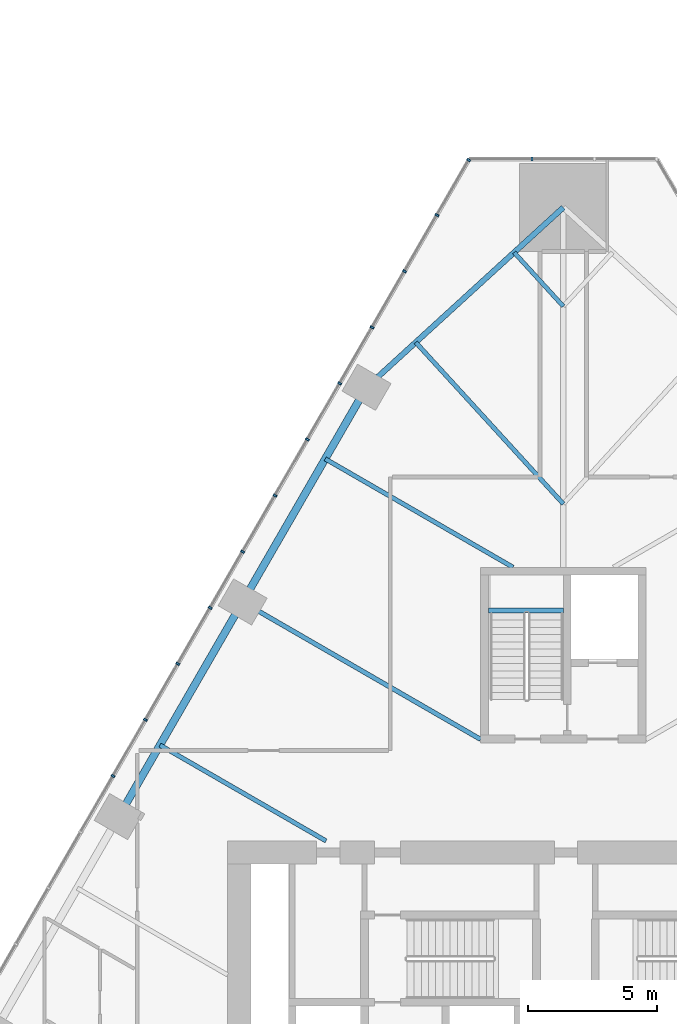
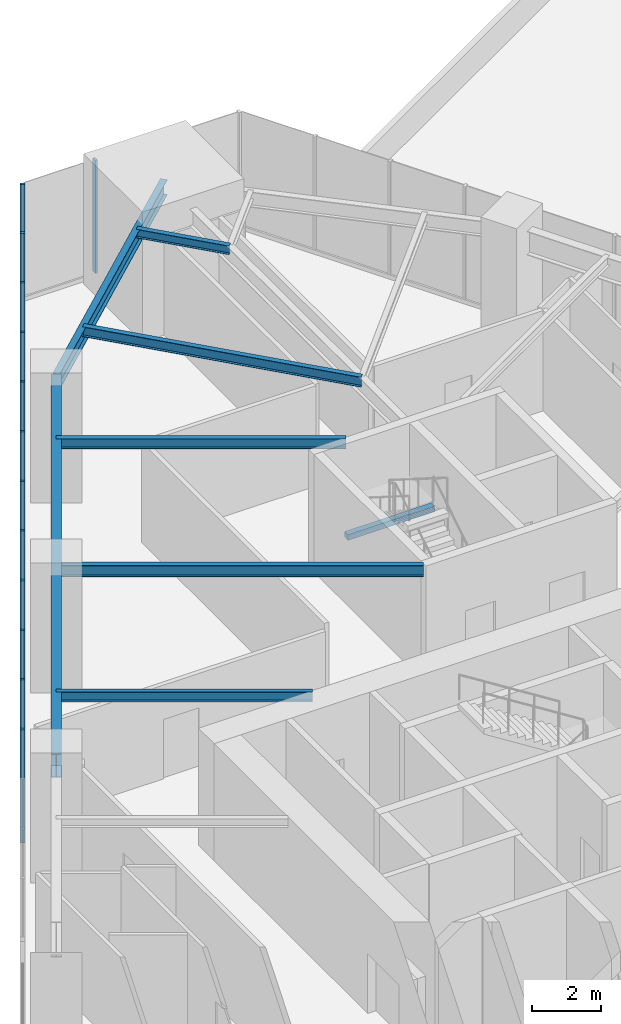
# One storey, part 9 of 23: 13 members, 8 beams, 2 elements without a shape of their own.
"""IFC4 building model written with IfcOpenShell, lengths in metres."""

from ifc_helpers import new_model, si_unit, direction, frame, origin, origin_2d, place, context, subcontext, project, spatial, rectangle, i_section, extrude, material, layer, layer_set, material_profile, profile_set, type_object, element, aggregate, save


model = new_model("IFC4")

# Units and contexts
model_context = context("Model", 3, precision=1e-05, world=origin(), true_north=direction((0.0, 1.0)))
body_context = subcontext(model_context, "Body", "Model", "MODEL_VIEW")
ifc_project = project(units=[si_unit("LENGTHUNIT", "METRE"), si_unit("AREAUNIT", "SQUARE_METRE"), si_unit("VOLUMEUNIT", "CUBIC_METRE"), si_unit("PLANEANGLEUNIT", "RADIAN"), si_unit("MASSUNIT", "GRAM", prefix="KILO")], contexts=[model_context])

# Site, building, storey
site_placement = place(None, origin())
site = spatial("IfcSite", under=ifc_project, at=site_placement, CompositionType="ELEMENT")
building_placement = place(site_placement, origin())
building = spatial("IfcBuilding", under=site, at=building_placement, Name="Firuza Gate Tower and Library", CompositionType="ELEMENT")
storey_placement = place(building_placement, frame((0.0, 0.0, 26.39990234375)))
storey = spatial("IfcBuildingStorey", under=building, at=storey_placement, Name="L05", CompositionType="ELEMENT", Elevation=26.39990234375)

# Curtain wall, member
ifc_material_1 = material(Name="Aluminium 6063-T6", Category="aluminium")
ifc_layer = layer(ifc_material_1, 0.14990234375)
ifc_layer_set = layer_set([ifc_layer], Name="Stick curtain wall, podium")
curtain_wall_type = type_object("IfcCurtainWallType", Name="Stick curtain wall, podium", PredefinedType="NOTDEFINED", material=ifc_layer_set)
placement = place(storey_placement, origin())
curtain_wall_1 = element("IfcCurtainWall", 1, at=placement, inside=storey, type_object=curtain_wall_type, Name="CW5 L05 N", PredefinedType="NOTDEFINED")
ifc_material_2 = material(Name="Aluminium 6063-T6", Category="aluminium")
ifc_material_profile_1 = material_profile(ifc_material_2, rectangle(XDim=0.14990234375, YDim=0.080078125, at=origin_2d()))
ifc_profile_set_1 = profile_set([ifc_material_profile_1], Name="Aluminium 6063-T6")
member_type = type_object("IfcMemberType", Name="Curtain wall mullion 80x150", PredefinedType="MULLION", material=ifc_profile_set_1)
member_1_placement = place(storey_placement, frame((73.78564453125, 110.408935546875, 0.150146484375), z_axis=(0.0, 0.0, 1.0), x_axis=(0.0, -1.0, 0.0)))
member_1 = element("IfcMember", 2, at=member_1_placement, type_object=member_type, Name="Mullion", PredefinedType="MULLION", context=body_context, shape_type="SweptSolid", body=[
    extrude(rectangle(XDim=0.14990234375, YDim=0.080078125, at=origin_2d()), origin(), (0.0, 0.0, 1.0), 4.0),
])
aggregate(curtain_wall_1, [member_1])

# Curtain wall, members
curtain_wall_2 = element("IfcCurtainWall", 3, at=placement, inside=storey, type_object=curtain_wall_type, Name="CW5 L05 W", PredefinedType="NOTDEFINED")
member_2_placement = place(storey_placement, frame((71.336669921875, 110.374267578125, 0.150146484375), z_axis=(0.0, 0.0, 1.0), x_axis=(0.866025403784, -0.5, 0.0)))
member_2 = element("IfcMember", 4, at=member_2_placement, type_object=member_type, Name="Mullion", PredefinedType="MULLION", context=body_context, shape_type="SweptSolid", body=[
    extrude(rectangle(XDim=0.14990234375, YDim=0.080078125, at=origin_2d()), origin(), (0.0, 0.0, 1.0), 4.0),
])
member_3_placement = place(storey_placement, frame((70.1025390625, 108.23681640625, 0.150146484375), z_axis=(0.0, 0.0, 1.0), x_axis=(0.866025403784, -0.5, 0.0)))
member_3 = element("IfcMember", 5, at=member_3_placement, type_object=member_type, Name="Mullion", PredefinedType="MULLION", context=body_context, shape_type="SweptSolid", body=[
    extrude(rectangle(XDim=0.14990234375, YDim=0.080078125, at=origin_2d()), origin(), (0.0, 0.0, 1.0), 4.0),
])
member_4_placement = place(storey_placement, frame((68.8486328125, 106.064697265625, 0.150146484375), z_axis=(0.0, 0.0, 1.0), x_axis=(0.866025403784, -0.5, 0.0)))
member_4 = element("IfcMember", 6, at=member_4_placement, type_object=member_type, Name="Mullion", PredefinedType="MULLION", context=body_context, shape_type="SweptSolid", body=[
    extrude(rectangle(XDim=0.14990234375, YDim=0.080078125, at=origin_2d()), origin(), (0.0, 0.0, 1.0), 4.0),
])
member_5_placement = place(storey_placement, frame((67.594482421875, 103.892578125, 0.150146484375), z_axis=(0.0, 0.0, 1.0), x_axis=(0.866025403784, -0.5, 0.0)))
member_5 = element("IfcMember", 7, at=member_5_placement, type_object=member_type, Name="Mullion", PredefinedType="MULLION", context=body_context, shape_type="SweptSolid", body=[
    extrude(rectangle(XDim=0.14990234375, YDim=0.080078125, at=origin_2d()), origin(), (0.0, 0.0, 1.0), 4.0),
])
member_6_placement = place(storey_placement, frame((66.340576171875, 101.720458984375, 0.150146484375), z_axis=(0.0, 0.0, 1.0), x_axis=(0.866025403784, -0.5, 0.0)))
member_6 = element("IfcMember", 8, at=member_6_placement, type_object=member_type, Name="Mullion", PredefinedType="MULLION", context=body_context, shape_type="SweptSolid", body=[
    extrude(rectangle(XDim=0.14990234375, YDim=0.080078125, at=origin_2d()), origin(), (0.0, 0.0, 1.0), 4.0),
])
member_7_placement = place(storey_placement, frame((65.08642578125, 99.54833984375, 0.150146484375), z_axis=(0.0, 0.0, 1.0), x_axis=(0.866025403784, -0.5, 0.0)))
member_7 = element("IfcMember", 9, at=member_7_placement, type_object=member_type, Name="Mullion", PredefinedType="MULLION", context=body_context, shape_type="SweptSolid", body=[
    extrude(rectangle(XDim=0.14990234375, YDim=0.080078125, at=origin_2d()), origin(), (0.0, 0.0, 1.0), 4.0),
])
member_8_placement = place(storey_placement, frame((63.832275390625, 97.376220703125, 0.150146484375), z_axis=(0.0, 0.0, 1.0), x_axis=(0.866025403784, -0.5, 0.0)))
member_8 = element("IfcMember", 10, at=member_8_placement, type_object=member_type, Name="Mullion", PredefinedType="MULLION", context=body_context, shape_type="SweptSolid", body=[
    extrude(rectangle(XDim=0.14990234375, YDim=0.080078125, at=origin_2d()), origin(), (0.0, 0.0, 1.0), 4.0),
])
member_9_placement = place(storey_placement, frame((62.578369140625, 95.2041015625, 0.150146484375), z_axis=(0.0, 0.0, 1.0), x_axis=(0.866025403784, -0.5, 0.0)))
member_9 = element("IfcMember", 11, at=member_9_placement, type_object=member_type, Name="Mullion", PredefinedType="MULLION", context=body_context, shape_type="SweptSolid", body=[
    extrude(rectangle(XDim=0.14990234375, YDim=0.080078125, at=origin_2d()), origin(), (0.0, 0.0, 1.0), 4.0),
])
member_10_placement = place(storey_placement, frame((61.32421875, 93.0322265625, 0.150146484375), z_axis=(0.0, 0.0, 1.0), x_axis=(0.866025403784, -0.5, 0.0)))
member_10 = element("IfcMember", 12, at=member_10_placement, type_object=member_type, Name="Mullion", PredefinedType="MULLION", context=body_context, shape_type="SweptSolid", body=[
    extrude(rectangle(XDim=0.14990234375, YDim=0.080078125, at=origin_2d()), origin(), (0.0, 0.0, 1.0), 4.0),
])
member_11_placement = place(storey_placement, frame((60.070068359375, 90.860107421875, 0.150146484375), z_axis=(0.0, 0.0, 1.0), x_axis=(0.866025403784, -0.5, 0.0)))
member_11 = element("IfcMember", 13, at=member_11_placement, type_object=member_type, Name="Mullion", PredefinedType="MULLION", context=body_context, shape_type="SweptSolid", body=[
    extrude(rectangle(XDim=0.14990234375, YDim=0.080078125, at=origin_2d()), origin(), (0.0, 0.0, 1.0), 4.0),
])
member_12_placement = place(storey_placement, frame((58.816162109375, 88.68798828125, 0.150146484375), z_axis=(0.0, 0.0, 1.0), x_axis=(0.866025403784, -0.5, 0.0)))
member_12 = element("IfcMember", 14, at=member_12_placement, type_object=member_type, Name="Mullion", PredefinedType="MULLION", context=body_context, shape_type="SweptSolid", body=[
    extrude(rectangle(XDim=0.14990234375, YDim=0.080078125, at=origin_2d()), origin(), (0.0, 0.0, 1.0), 4.0),
])
member_13_placement = place(storey_placement, frame((57.56201171875, 86.515869140625, 0.150146484375), z_axis=(0.0, 0.0, 1.0), x_axis=(0.866025403784, -0.5, 0.0)))
member_13 = element("IfcMember", 15, at=member_13_placement, type_object=member_type, Name="Mullion", PredefinedType="MULLION", context=body_context, shape_type="SweptSolid", body=[
    extrude(rectangle(XDim=0.14990234375, YDim=0.080078125, at=origin_2d()), origin(), (0.0, 0.0, 1.0), 4.0),
])
aggregate(curtain_wall_2, [member_2, member_3, member_4, member_5, member_6, member_7, member_8, member_9, member_10, member_11, member_12, member_13])

# Beams
ifc_material_3 = material(Name="Concrete C35/45", Category="concrete")
ifc_material_profile_2 = material_profile(ifc_material_3, rectangle(XDim=0.199951171875, YDim=0.199951171875, at=origin_2d()))
ifc_profile_set_2 = profile_set([ifc_material_profile_2], Name="Concrete C35/45")
beam_type_1 = type_object("IfcBeamType", Name="Stair landing bearer 200x200", PredefinedType="BEAM", material=ifc_profile_set_2)
beam_1_placement = place(storey_placement, frame((75.0, 92.929931640625, 2.0), z_axis=(-1.0, 0.0, 0.0), x_axis=(0.0, -1.0, 0.0)))
element("IfcBeam", 16, at=beam_1_placement, inside=storey, type_object=beam_type_1, Name="Landing bearer L05 stair 3", PredefinedType="BEAM", context=body_context, shape_type="SweptSolid", body=[
    extrude(rectangle(XDim=0.199951171875, YDim=0.199951171875, at=origin_2d()), origin(), (0.0, 0.0, 1.0), 2.89990234375),
])
ifc_material_4 = material(Name="Steel S355", Category="steel")
ifc_material_profile_3 = material_profile(ifc_material_4, i_section(OverallWidth=0.1650390625, OverallDepth=0.31005859375, WebThickness=0.005859375, FlangeThickness=0.009765625, at=origin_2d()))
ifc_profile_set_3 = profile_set([ifc_material_profile_3], Name="Steel S355")
beam_type_2 = type_object("IfcBeamType", Name="W310x39 Floor beam", PredefinedType="JOIST", material=ifc_profile_set_3)
beam_2_placement = place(storey_placement, frame((73.094970703125, 106.79296875, 3.9951171875), z_axis=(0.674533736892, -0.738244023203, 0.0), x_axis=(0.738244023203, 0.674533736892, 0.0)))
element("IfcBeam", 17, at=beam_2_placement, inside=storey, type_object=beam_type_2, Name="Floor beam L05 s90", PredefinedType="JOIST", context=body_context, shape_type="SweptSolid", body=[
    extrude(i_section(OverallWidth=0.1650390625, OverallDepth=0.31005859375, WebThickness=0.005859375, FlangeThickness=0.009765625, at=origin_2d()), origin(), (0.0, 0.0, 1.0), 2.82421875),
])
ifc_material_5 = material(Name="Steel S355", Category="steel")
ifc_material_profile_4 = material_profile(ifc_material_5, i_section(OverallWidth=0.1708984375, OverallDepth=0.35498046875, WebThickness=0.007080078125, FlangeThickness=0.01171875, at=origin_2d()))
ifc_profile_set_4 = profile_set([ifc_material_profile_4], Name="Steel S355")
beam_type_3 = type_object("IfcBeamType", Name="W360x51 Floor beam", PredefinedType="JOIST", material=ifc_profile_set_4)
beam_3_placement = place(storey_placement, frame((69.28466796875, 103.31103515625, 3.97265625), z_axis=(0.674578139258, -0.7382034503, 0.0), x_axis=(0.7382034503, 0.674578139258, 0.0)))
element("IfcBeam", 18, at=beam_3_placement, inside=storey, type_object=beam_type_3, Name="Floor beam L05 s91", PredefinedType="JOIST", context=body_context, shape_type="SweptSolid", body=[
    extrude(i_section(OverallWidth=0.1708984375, OverallDepth=0.35498046875, WebThickness=0.007080078125, FlangeThickness=0.01171875, at=origin_2d()), origin(), (0.0, 0.0, 1.0), 8.472412109375),
])
beam_4_placement = place(storey_placement, frame((65.779541015625, 98.798828125, 3.97265625), z_axis=(0.866019517829, -0.500010194636, 0.0), x_axis=(0.500010194636, 0.866019517829, 0.0)))
element("IfcBeam", 19, at=beam_4_placement, inside=storey, type_object=beam_type_3, Name="Floor beam L05 s100", PredefinedType="JOIST", context=body_context, shape_type="SweptSolid", body=[
    extrude(i_section(OverallWidth=0.1708984375, OverallDepth=0.35498046875, WebThickness=0.007080078125, FlangeThickness=0.01171875, at=origin_2d()), origin(), (0.0, 0.0, 1.0), 8.397216796875),
])
beam_5_placement = place(storey_placement, frame((59.37939453125, 87.713623046875, 3.97265625), z_axis=(0.866023556141, -0.500003200199, 0.0), x_axis=(0.500003200199, 0.866023556141, 0.0)))
element("IfcBeam", 20, at=beam_5_placement, inside=storey, type_object=beam_type_3, Name="Floor beam L05 s102", PredefinedType="JOIST", context=body_context, shape_type="SweptSolid", body=[
    extrude(i_section(OverallWidth=0.1708984375, OverallDepth=0.35498046875, WebThickness=0.007080078125, FlangeThickness=0.01171875, at=origin_2d()), origin(), (0.0, 0.0, 1.0), 7.42724609375),
])
ifc_material_6 = material(Name="Steel S355", Category="steel")
ifc_material_profile_5 = material_profile(ifc_material_6, i_section(OverallWidth=0.177978515625, OverallDepth=0.406982421875, WebThickness=0.0078125, FlangeThickness=0.0126953125, at=origin_2d()))
ifc_profile_set_5 = profile_set([ifc_material_profile_5], Name="Steel S355")
beam_type_4 = type_object("IfcBeamType", Name="W410x60 Floor beam", PredefinedType="JOIST", material=ifc_profile_set_5)
beam_6_placement = place(storey_placement, frame((62.579345703125, 93.256103515625, 3.946533203125), z_axis=(0.866029027547, -0.499993723407, 0.0), x_axis=(0.499993723407, 0.866029027547, 0.0)))
element("IfcBeam", 21, at=beam_6_placement, inside=storey, type_object=beam_type_4, Name="Floor beam L05 s101", PredefinedType="JOIST", context=body_context, shape_type="SweptSolid", body=[
    extrude(i_section(OverallWidth=0.177978515625, OverallDepth=0.406982421875, WebThickness=0.0078125, FlangeThickness=0.0126953125, at=origin_2d()), origin(), (0.0, 0.0, 1.0), 10.647216796875),
])
ifc_material_7 = material(Name="Steel S355", Category="steel")
ifc_material_profile_6 = material_profile(ifc_material_7, i_section(OverallWidth=0.212890625, OverallDepth=0.5390625, WebThickness=0.01171875, FlangeThickness=0.018798828125, at=origin_2d()))
ifc_profile_set_6 = profile_set([ifc_material_profile_6], Name="Steel S355")
beam_type_5 = type_object("IfcBeamType", Name="W530x109 Edge beam", PredefinedType="SPANDREL", material=ifc_profile_set_6)
beam_7_placement = place(storey_placement, frame((75.0, 108.533935546875, 3.880615234375), z_axis=(-0.738199730284, -0.674582210118, 0.0), x_axis=(0.674582210118, -0.738199730284, 0.0)))
element("IfcBeam", 22, at=beam_7_placement, inside=storey, type_object=beam_type_5, Name="Edge beam L05 e90", PredefinedType="SPANDREL", context=body_context, shape_type="SweptSolid", body=[
    extrude(i_section(OverallWidth=0.212890625, OverallDepth=0.5390625, WebThickness=0.01171875, FlangeThickness=0.018798828125, at=origin_2d()), origin(), (0.0, 0.0, 1.0), 10.3232421875),
])
ifc_material_8 = material(Name="Steel S355", Category="steel")
ifc_material_profile_7 = material_profile(ifc_material_8, i_section(OverallWidth=0.2919921875, OverallDepth=0.8349609375, WebThickness=0.013916015625, FlangeThickness=0.018798828125, at=origin_2d()))
ifc_profile_set_7 = profile_set([ifc_material_profile_7], Name="Steel S355")
beam_type_6 = type_object("IfcBeamType", Name="W840x176 Edge beam", PredefinedType="SPANDREL", material=ifc_profile_set_7)
beam_8_placement = place(storey_placement, frame((67.37939453125, 101.570068359375, 3.732666015625), z_axis=(-0.499994327668, -0.866028678682, 0.0), x_axis=(0.866028678682, -0.499994327668, 0.0)))
element("IfcBeam", 23, at=beam_8_placement, inside=storey, type_object=beam_type_6, Name="Edge beam L05 e100", PredefinedType="SPANDREL", context=body_context, shape_type="SweptSolid", body=[
    extrude(i_section(OverallWidth=0.2919921875, OverallDepth=0.8349609375, WebThickness=0.013916015625, FlangeThickness=0.018798828125, at=origin_2d()), origin(), (0.0, 0.0, 1.0), 19.199951171875),
])

save(model, "model.ifc")
